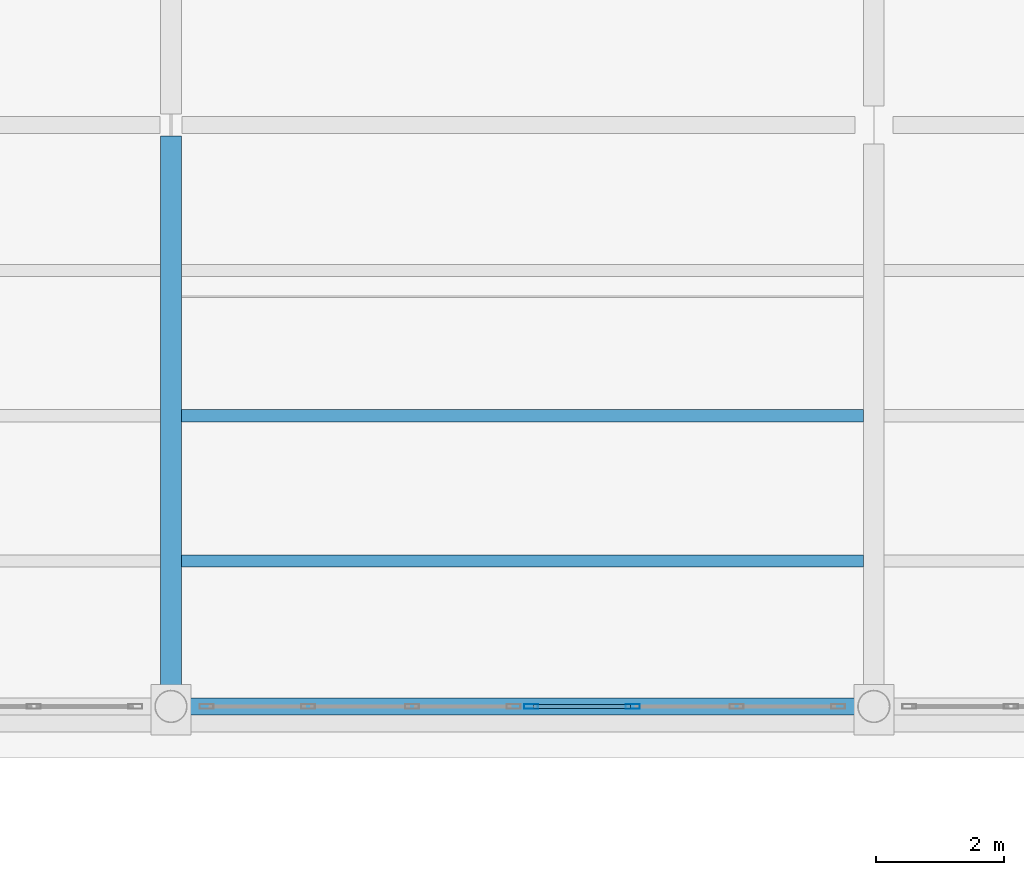
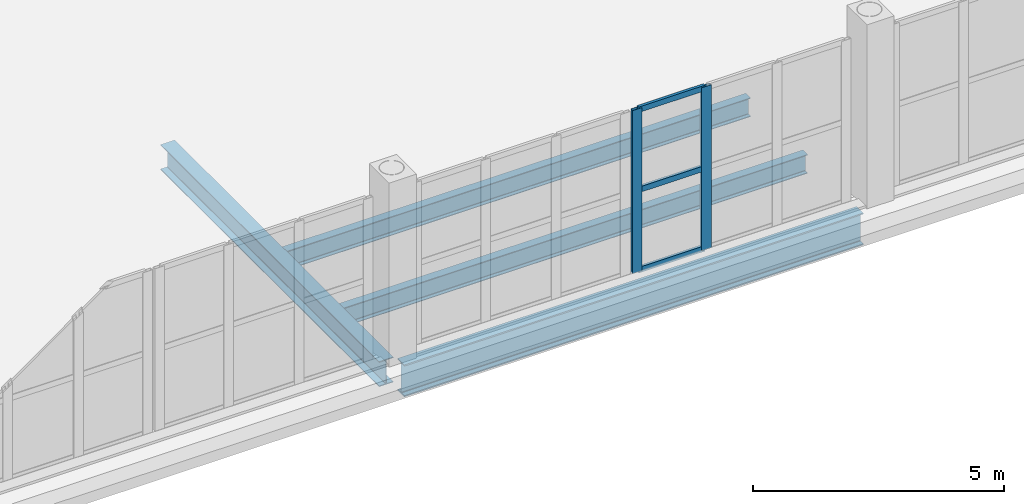
# One storey, part 28 of 156: 5 members, 4 beams, 1 element without a shape of its own.
"""IFC4 building model written with IfcOpenShell, lengths in metres."""

from ifc_helpers import new_model, si_unit, direction, frame, origin, origin_2d, place, context, subcontext, project, spatial, hollow_rectangle, i_section, extrude, material, material_profile, profile_set, type_object, element, aggregate, save


model = new_model("IFC4")

# Units and contexts
model_context = context("Model", 3, precision=1e-05, world=origin(), true_north=direction((0.0, 1.0)))
body_context = subcontext(model_context, "Body", "Model", "MODEL_VIEW")
ifc_project = project(units=[si_unit("LENGTHUNIT", "METRE"), si_unit("AREAUNIT", "SQUARE_METRE"), si_unit("VOLUMEUNIT", "CUBIC_METRE"), si_unit("PLANEANGLEUNIT", "RADIAN"), si_unit("MASSUNIT", "GRAM", prefix="KILO")], contexts=[model_context])

# Site, building, storey
site_placement = place(None, origin())
site = spatial("IfcSite", under=ifc_project, at=site_placement, CompositionType="ELEMENT")
building_placement = place(site_placement, origin())
building = spatial("IfcBuilding", under=site, at=building_placement, Name="Caurita Quay Ferry Terminal", CompositionType="ELEMENT")
storey_placement = place(building_placement, frame((0.0, 0.0, 5.39990234375)))
storey = spatial("IfcBuildingStorey", under=building, at=storey_placement, Name="L01", CompositionType="ELEMENT", Elevation=5.39990234375)

# Beams
ifc_material_1 = material(Name="Structural steel ASTM A992 Gr. 50", Category="steel")
ifc_material_profile_1 = material_profile(ifc_material_1, i_section(OverallWidth=0.3251953125, OverallDepth=0.612060546875, WebThickness=0.0126953125, FlangeThickness=0.01904296875, FilletRadius=0.01513671875, at=origin_2d()), Name="W24X104")
ifc_profile_set_1 = profile_set([ifc_material_profile_1], Name="Structural steel ASTM A992 Gr. 50")
beam_type_1 = type_object("IfcBeamType", Name="BM-GR-W24A", PredefinedType="BEAM", material=ifc_profile_set_1)
beam_1_placement = place(storey_placement, frame((55.0, 34.81591796875, -0.60595703125), z_axis=(0.0, 1.0, 0.0), x_axis=(-1.0, 0.0, 0.0)))
element("IfcBeam", 1, at=beam_1_placement, inside=storey, type_object=beam_type_1, Name="L01 Beam BM-V1-L01-Y-550-348", PredefinedType="BEAM", context=body_context, shape_type="SweptSolid", body=[
    extrude(i_section(OverallWidth=0.3251953125, OverallDepth=0.612060546875, WebThickness=0.0126953125, FlangeThickness=0.01904296875, FilletRadius=0.01513671875, at=origin_2d()), origin(), (0.0, 0.0, 1.0), 8.714599609375),
])
ifc_material_profile_2 = material_profile(ifc_material_1, i_section(OverallWidth=0.2666015625, OverallDepth=0.77978515625, WebThickness=0.0166015625, FlangeThickness=0.030029296875, FilletRadius=0.01904296875, at=origin_2d()), Name="W30X148")
ifc_profile_set_2 = profile_set([ifc_material_profile_2], Name="Structural steel ASTM A992 Gr. 50")
beam_type_2 = type_object("IfcBeamType", Name="BM-GR-W30A", PredefinedType="BEAM", material=ifc_profile_set_2)
beam_2_placement = place(storey_placement, frame((55.2158203125, 34.60009765625, -0.689697265625), z_axis=(1.0, 0.0, 0.0), x_axis=(0.0, 1.0, 0.0)))
element("IfcBeam", 2, at=beam_2_placement, inside=storey, type_object=beam_type_2, Name="L01 Beam BM-V1-L01-X-552-346", PredefinedType="BEAM", context=body_context, shape_type="SweptSolid", body=[
    extrude(i_section(OverallWidth=0.2666015625, OverallDepth=0.77978515625, WebThickness=0.0166015625, FlangeThickness=0.030029296875, FilletRadius=0.01904296875, at=origin_2d()), origin(), (0.0, 0.0, 1.0), 10.568359375),
])
ifc_material_profile_3 = material_profile(ifc_material_1, i_section(OverallWidth=0.1904296875, OverallDepth=0.457275390625, WebThickness=0.009033203125, FlangeThickness=0.014404296875, FilletRadius=0.0126953125, at=origin_2d()), Name="W18X50")
ifc_profile_set_3 = profile_set([ifc_material_profile_3], Name="Structural steel ASTM A992 Gr. 50")
beam_type_3 = type_object("IfcBeamType", Name="BM-JS-W18B", PredefinedType="JOIST", material=ifc_profile_set_3)
for number, where, z_axis, x_axis, name in (
    (3, (55.16259765625, 36.875, -0.528564453125), (1.0, 0.0, 0.0), (0.0, 1.0, 0.0), "L01 Beam JS-V1-L01-051"),
    (4, (55.16259765625, 39.14990234375, -0.528564453125), (1.0, 0.0, 0.0), (0.0, 1.0, 0.0), "L01 Beam JS-V1-L01-052"),
):
    element("IfcBeam", number, at=place(storey_placement, frame(where, z_axis=z_axis, x_axis=x_axis)), inside=storey, type_object=beam_type_3, Name=name, PredefinedType="JOIST", context=body_context, shape_type="SweptSolid", body=[
        extrude(i_section(OverallWidth=0.1904296875, OverallDepth=0.457275390625, WebThickness=0.009033203125, FlangeThickness=0.014404296875, FilletRadius=0.0126953125, at=origin_2d()), origin(), (0.0, 0.0, 1.0), 10.6748046875),
    ])

# Curtain wall, members
ifc_material_2 = material(Name="Laminated solar-control insulated glass", Category="glass")
curtain_wall_type = type_object("IfcCurtainWallType", Name="CW-SYS-08", PredefinedType="NOTDEFINED", material=ifc_material_2)
curtain_wall_placement = place(storey_placement, origin())
curtain_wall = element("IfcCurtainWall", 5, at=curtain_wall_placement, inside=storey, type_object=curtain_wall_type, Name="V1 Waterside Concourse Curtain Wall 060", PredefinedType="NOTDEFINED")
ifc_material_3 = material(Name="Anodized aluminium 6063-T6", Category="aluminium")
ifc_material_profile_4 = material_profile(ifc_material_3, hollow_rectangle(XDim=0.074951171875, YDim=0.219970703125, WallThickness=0.00390625, at=origin_2d()), Name="ALU-MUL-75X220")
ifc_profile_set_4 = profile_set([ifc_material_profile_4], Name="Anodized aluminium 6063-T6")
member_type_1 = type_object("IfcMemberType", Name="CW-MUL-220", PredefinedType="MULLION", material=ifc_profile_set_4)
member_1_placement = place(storey_placement, frame((60.637451171875, 34.60009765625, 0.0), z_axis=(0.0, 0.0, 1.0), x_axis=(0.0, 1.0, 0.0)))
member_1 = element("IfcMember", 6, at=member_1_placement, type_object=member_type_1, Name="CW-SEA-060 Mullion 1", PredefinedType="MULLION", context=body_context, shape_type="SweptSolid", body=[
    extrude(hollow_rectangle(XDim=0.074951171875, YDim=0.219970703125, WallThickness=0.00390625, at=origin_2d()), origin(), (0.0, 0.0, 1.0), 3.97021484375),
])
member_2_placement = place(storey_placement, frame((62.226806640625, 34.60009765625, 0.0), z_axis=(0.0, 0.0, 1.0), x_axis=(0.0, 1.0, 0.0)))
member_2 = element("IfcMember", 7, at=member_2_placement, type_object=member_type_1, Name="CW-SEA-060 Mullion 2", PredefinedType="MULLION", context=body_context, shape_type="SweptSolid", body=[
    extrude(hollow_rectangle(XDim=0.074951171875, YDim=0.219970703125, WallThickness=0.00390625, at=origin_2d()), origin(), (0.0, 0.0, 1.0), 3.97021484375),
])
ifc_material_profile_5 = material_profile(ifc_material_3, hollow_rectangle(XDim=0.06494140625, YDim=0.135009765625, WallThickness=0.00341796875, at=origin_2d()), Name="ALU-TRN-65X135")
ifc_profile_set_5 = profile_set([ifc_material_profile_5], Name="Anodized aluminium 6063-T6")
member_type_2 = type_object("IfcMemberType", Name="CW-TRN-135", PredefinedType="USERDEFINED", material=ifc_profile_set_5)
member_3_placement = place(storey_placement, frame((60.673095703125, 34.60009765625, 0.03271484375), z_axis=(1.0, 0.0, 0.0), x_axis=(0.0, 1.0, 0.0)))
member_3 = element("IfcMember", 8, at=member_3_placement, type_object=member_type_2, Name="CW-SEA-060 Transom 1", ObjectType="TRANSOM", PredefinedType="USERDEFINED", context=body_context, shape_type="SweptSolid", body=[
    extrude(hollow_rectangle(XDim=0.06494140625, YDim=0.135009765625, WallThickness=0.00341796875, at=origin_2d()), origin(), (0.0, 0.0, 1.0), 1.51806640625),
])
member_4_placement = place(storey_placement, frame((60.673095703125, 34.60009765625, 1.985107421875), z_axis=(1.0, 0.0, 0.0), x_axis=(0.0, 1.0, 0.0)))
member_4 = element("IfcMember", 9, at=member_4_placement, type_object=member_type_2, Name="CW-SEA-060 Transom 2", ObjectType="TRANSOM", PredefinedType="USERDEFINED", context=body_context, shape_type="SweptSolid", body=[
    extrude(hollow_rectangle(XDim=0.06494140625, YDim=0.135009765625, WallThickness=0.00341796875, at=origin_2d()), origin(), (0.0, 0.0, 1.0), 1.51806640625),
])
member_5_placement = place(storey_placement, frame((60.673095703125, 34.60009765625, 3.9375), z_axis=(1.0, 0.0, 0.0), x_axis=(0.0, 1.0, 0.0)))
member_5 = element("IfcMember", 10, at=member_5_placement, type_object=member_type_2, Name="CW-SEA-060 Transom 3", ObjectType="TRANSOM", PredefinedType="USERDEFINED", context=body_context, shape_type="SweptSolid", body=[
    extrude(hollow_rectangle(XDim=0.06494140625, YDim=0.135009765625, WallThickness=0.00341796875, at=origin_2d()), origin(), (0.0, 0.0, 1.0), 1.51806640625),
])
aggregate(curtain_wall, [member_1, member_2, member_3, member_4, member_5])

save(model, "model.ifc")
